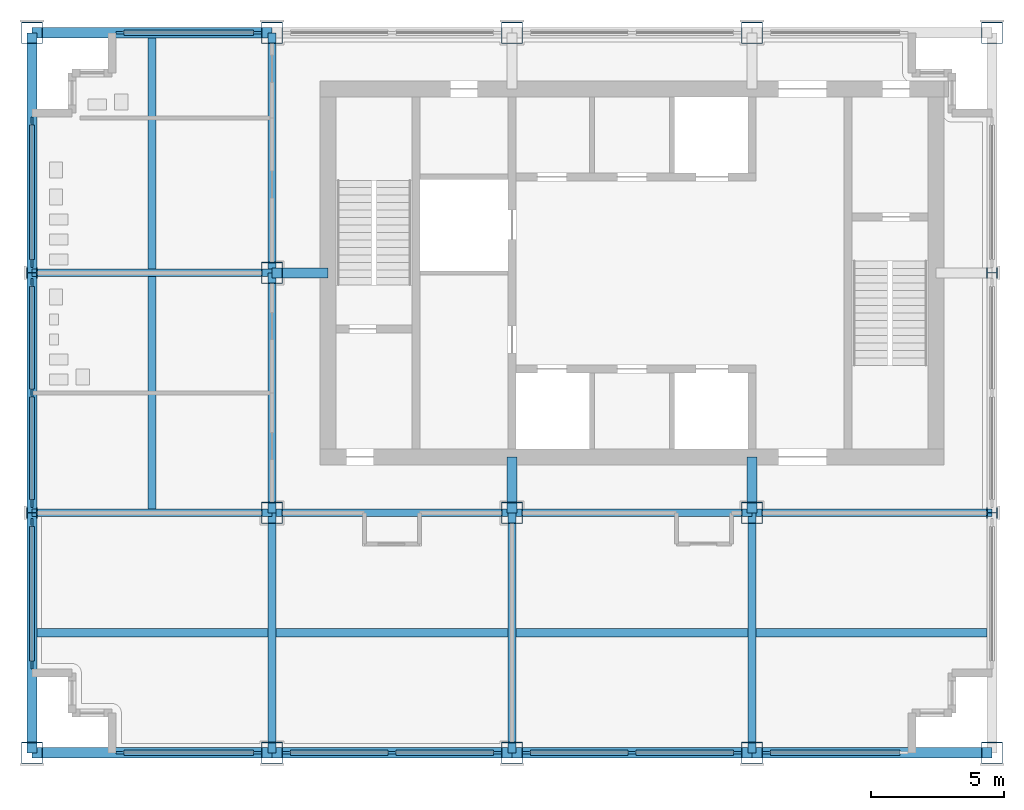
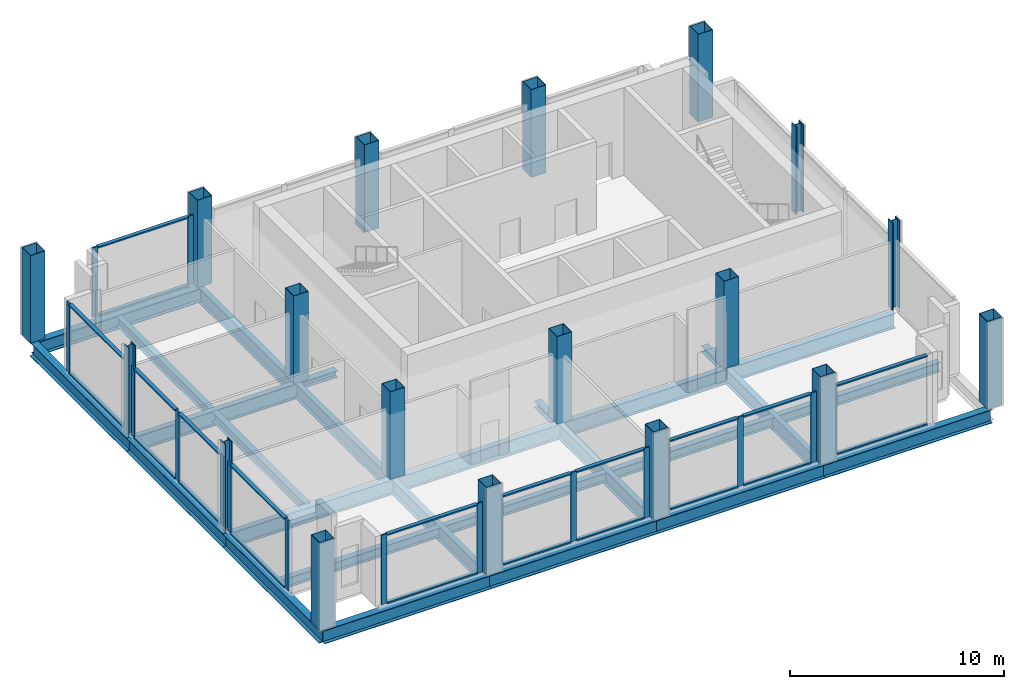
# One storey, part 1 of 7: 43 members, 24 beams, 18 columns, 8 elements without a shape of their own.
"""IFC4 building model written with IfcOpenShell, lengths in metres."""

from ifc_helpers import new_model, si_unit, direction, frame, origin, origin_2d, place, context, subcontext, project, spatial, rectangle, hollow_rectangle, i_section, extrude, material, material_profile, profile_set, type_object, element, aggregate, save


model = new_model("IFC4")

# Units and contexts
model_context = context("Model", 3, precision=1e-05, world=origin(), true_north=direction((0.0, 1.0)))
body_context = subcontext(model_context, "Body", "Model", "MODEL_VIEW")
ifc_project = project(units=[si_unit("LENGTHUNIT", "METRE"), si_unit("AREAUNIT", "SQUARE_METRE"), si_unit("VOLUMEUNIT", "CUBIC_METRE"), si_unit("PLANEANGLEUNIT", "RADIAN"), si_unit("MASSUNIT", "GRAM", prefix="KILO")], contexts=[model_context])

# Site, building, storey
site_placement = place(None, origin())
site = spatial("IfcSite", under=ifc_project, at=site_placement, CompositionType="ELEMENT")
building_placement = place(site_placement, origin())
building = spatial("IfcBuilding", under=site, at=building_placement, Name="Loomwork Tower", CompositionType="ELEMENT")
storey_placement = place(building_placement, frame((0.0, 0.0, 269.800048828125)))
storey = spatial("IfcBuildingStorey", under=building, at=storey_placement, Name="L74", CompositionType="ELEMENT", Elevation=269.800048828125)

# Columns
ifc_material_1 = material(Name="Steel ASTM A572 Grade 50 plate", Category="steel")
ifc_material_profile_1 = material_profile(ifc_material_1, hollow_rectangle(XDim=0.800048828125, YDim=0.800048828125, WallThickness=0.02490234375, at=origin_2d()), Name="BOX800x25")
ifc_profile_set_1 = profile_set([ifc_material_profile_1], Name="Steel ASTM A572 Grade 50 plate")
column_type_1 = type_object("IfcColumnType", Name="EXOSKELETON PIER BOX800x25", PredefinedType="COLUMN", material=ifc_profile_set_1)
for number, where, z_axis, x_axis, name in (
    (1, (0.0, 0.0, 0.0), (0.0, 0.0, 1.0), (1.0, 0.0, 0.0), "Exoskeleton Pier D/2 L74"),
    (2, (0.0, 27.0, 0.0), (0.0, 0.0, 1.0), (0.0, 1.0, 0.0), "Exoskeleton Pier G/2 L74"),
    (3, (9.0, 0.0, 0.0), (0.0, 0.0, 1.0), (1.0, 0.0, 0.0), "Exoskeleton Pier D/3 L74"),
    (4, (9.0, 27.0, 0.0), (0.0, 0.0, 1.0), (1.0, 0.0, 0.0), "Exoskeleton Pier G/3 L74"),
    (5, (18.0, 0.0, 0.0), (0.0, 0.0, 1.0), (1.0, 0.0, 0.0), "Exoskeleton Pier D/4 L74"),
    (6, (18.0, 27.0, 0.0), (0.0, 0.0, 1.0), (1.0, 0.0, 0.0), "Exoskeleton Pier G/4 L74"),
    (7, (27.0, 0.0, 0.0), (0.0, 0.0, 1.0), (1.0, 0.0, 0.0), "Exoskeleton Pier D/5 L74"),
    (8, (27.0, 27.0, 0.0), (0.0, 0.0, 1.0), (1.0, 0.0, 0.0), "Exoskeleton Pier G/5 L74"),
    (9, (36.0, 0.0, 0.0), (0.0, 0.0, 1.0), (1.0, 0.0, 0.0), "Exoskeleton Pier D/6 L74"),
    (10, (36.0, 27.0, 0.0), (0.0, 0.0, 1.0), (1.0, 0.0, 0.0), "Exoskeleton Pier G/6 L74"),
):
    element("IfcColumn", number, at=place(storey_placement, frame(where, z_axis=z_axis, x_axis=x_axis)), inside=storey, type_object=column_type_1, Name=name, PredefinedType="COLUMN", context=body_context, shape_type="SweptSolid", body=[
        extrude(hollow_rectangle(XDim=0.800048828125, YDim=0.800048828125, WallThickness=0.02490234375, at=origin_2d()), origin(), (0.0, 0.0, 1.0), 5.0),
    ])
ifc_material_2 = material(Name="Steel ASTM A992", Category="steel")
ifc_material_profile_2 = material_profile(ifc_material_2, i_section(OverallWidth=0.408935546875, OverallDepth=0.424072265625, WebThickness=0.03271484375, FlangeThickness=0.052490234375, at=origin_2d()), Name="W14x283")
ifc_profile_set_2 = profile_set([ifc_material_profile_2], Name="Steel ASTM A992")
column_type_2 = type_object("IfcColumnType", Name="EXOSKELETON PIER W14x283", PredefinedType="COLUMN", material=ifc_profile_set_2)
for number, where, z_axis, x_axis, name in (
    (11, (0.0, 9.0, 0.0), (0.0, 0.0, 1.0), (0.0, 1.0, 0.0), "Exoskeleton Pier E/2 L74"),
    (12, (0.0, 18.0, 0.0), (0.0, 0.0, 1.0), (0.0, 1.0, 0.0), "Exoskeleton Pier F/2 L74"),
    (13, (36.0, 9.0, 0.0), (0.0, 0.0, 1.0), (0.0, 1.0, 0.0), "Exoskeleton Pier E/6 L74"),
    (14, (36.0, 18.0, 0.0), (0.0, 0.0, 1.0), (0.0, 1.0, 0.0), "Exoskeleton Pier F/6 L74"),
):
    element("IfcColumn", number, at=place(storey_placement, frame(where, z_axis=z_axis, x_axis=x_axis)), inside=storey, type_object=column_type_2, Name=name, PredefinedType="COLUMN", context=body_context, shape_type="SweptSolid", body=[
        extrude(i_section(OverallWidth=0.408935546875, OverallDepth=0.424072265625, WebThickness=0.03271484375, FlangeThickness=0.052490234375, at=origin_2d()), origin(), (0.0, 0.0, 1.0), 5.0),
    ])
ifc_material_3 = material(Name="Steel ASTM A572 Grade 50 plate", Category="steel")
ifc_material_profile_3 = material_profile(ifc_material_3, hollow_rectangle(XDim=0.800048828125, YDim=0.800048828125, WallThickness=0.02490234375, at=origin_2d()), Name="BOX800x25")
ifc_profile_set_3 = profile_set([ifc_material_profile_3], Name="Steel ASTM A572 Grade 50 plate")
column_type_3 = type_object("IfcColumnType", Name="TOWER COLUMN BOX800x25", PredefinedType="COLUMN", material=ifc_profile_set_3)
for number, where, z_axis, x_axis, name in (
    (15, (9.0, 9.0, 0.0), (0.0, 0.0, 1.0), (1.0, 0.0, 0.0), "Tower Column E/3 L74"),
    (16, (9.0, 18.0, 0.0), (0.0, 0.0, 1.0), (1.0, 0.0, 0.0), "Tower Column F/3 L74"),
    (17, (18.0, 9.0, 0.0), (0.0, 0.0, 1.0), (1.0, 0.0, 0.0), "Tower Column E/4 L74"),
    (18, (27.0, 9.0, 0.0), (0.0, 0.0, 1.0), (1.0, 0.0, 0.0), "Tower Column E/5 L74"),
):
    element("IfcColumn", number, at=place(storey_placement, frame(where, z_axis=z_axis, x_axis=x_axis)), inside=storey, type_object=column_type_3, Name=name, PredefinedType="COLUMN", context=body_context, shape_type="SweptSolid", body=[
        extrude(hollow_rectangle(XDim=0.800048828125, YDim=0.800048828125, WallThickness=0.02490234375, at=origin_2d()), origin(), (0.0, 0.0, 1.0), 5.0),
    ])

# Beams
ifc_material_4 = material(Name="Steel ASTM A992", Category="steel")
ifc_material_profile_4 = material_profile(ifc_material_4, i_section(OverallWidth=0.2919921875, OverallDepth=0.8583984375, WebThickness=0.01708984375, FlangeThickness=0.031005859375, at=origin_2d()), Name="W33x169")
ifc_profile_set_4 = profile_set([ifc_material_profile_4], Name="Steel ASTM A992")
beam_type_1 = type_object("IfcBeamType", Name="ASSEMBLY FLOOR GIRDER W33x169", PredefinedType="BEAM", material=ifc_profile_set_4)
for number, where, z_axis, x_axis, name in (
    (19, (0.0, 9.0, -0.67919921875), (1.0, 0.0, 0.0), (0.0, 1.0, 0.0), "Assembly Floor Girder E/2-E/3 L74"),
    (20, (9.0, 9.0, -0.67919921875), (1.0, 0.0, 0.0), (0.0, 1.0, 0.0), "Assembly Floor Girder E/3-E/4 L74"),
    (21, (18.0, 9.0, -0.67919921875), (1.0, 0.0, 0.0), (0.0, 1.0, 0.0), "Assembly Floor Girder E/4-E/5 L74"),
    (22, (27.0, 9.0, -0.67919921875), (1.0, 0.0, 0.0), (0.0, 1.0, 0.0), "Assembly Floor Girder E/5-E/6 L74"),
    (23, (0.0, 18.0, -0.67919921875), (1.0, 0.0, 0.0), (0.0, 1.0, 0.0), "Assembly Floor Girder F/2-F/3 L74"),
    (24, (9.0, 0.0, -0.67919921875), (0.0, 1.0, 0.0), (-1.0, 0.0, 0.0), "Assembly Floor Girder D/3-E/3 L74"),
    (25, (9.0, 9.0, -0.67919921875), (0.0, 1.0, 0.0), (-1.0, 0.0, 0.0), "Assembly Floor Girder E/3-F/3 L74"),
    (26, (9.0, 18.0, -0.67919921875), (0.0, 1.0, 0.0), (-1.0, 0.0, 0.0), "Assembly Floor Girder F/3-G/3 L74"),
    (27, (18.0, 0.0, -0.67919921875), (0.0, 1.0, 0.0), (-1.0, 0.0, 0.0), "Assembly Floor Girder D/4-E/4 L74"),
    (28, (27.0, 0.0, -0.67919921875), (0.0, 1.0, 0.0), (-1.0, 0.0, 0.0), "Assembly Floor Girder D/5-E/5 L74"),
):
    element("IfcBeam", number, at=place(storey_placement, frame(where, z_axis=z_axis, x_axis=x_axis)), inside=storey, type_object=beam_type_1, Name=name, PredefinedType="BEAM", context=body_context, shape_type="SweptSolid", body=[
        extrude(i_section(OverallWidth=0.2919921875, OverallDepth=0.8583984375, WebThickness=0.01708984375, FlangeThickness=0.031005859375, at=origin_2d()), origin(), (0.0, 0.0, 1.0), 9.0),
    ])
ifc_material_5 = material(Name="Steel ASTM A992", Category="steel")
ifc_material_profile_5 = material_profile(ifc_material_5, i_section(OverallWidth=0.3125, OverallDepth=0.54345703125, WebThickness=0.0126953125, FlangeThickness=0.020263671875, at=origin_2d()), Name="W21x101")
ifc_profile_set_5 = profile_set([ifc_material_profile_5], Name="Steel ASTM A992")
beam_type_2 = type_object("IfcBeamType", Name="ASSEMBLY FLOOR JOIST W21x101", PredefinedType="JOIST", material=ifc_profile_set_5)
beam_1_placement = place(storey_placement, frame((0.18994140625, 4.5, -0.521728515625), z_axis=(1.0, 0.0, 0.0), x_axis=(0.0, 1.0, 0.0)))
element("IfcBeam", 29, at=beam_1_placement, inside=storey, type_object=beam_type_2, Name="Assembly Floor Joist 0.000,4.500-9.000,4.500 L74", PredefinedType="JOIST", context=body_context, shape_type="SweptSolid", body=[
    extrude(i_section(OverallWidth=0.3125, OverallDepth=0.54345703125, WebThickness=0.0126953125, FlangeThickness=0.020263671875, at=origin_2d()), origin(), (0.0, 0.0, 1.0), 8.6640625),
])
beam_2_placement = place(storey_placement, frame((4.5, 9.14599609375, -0.521728515625), z_axis=(0.0, 1.0, 0.0), x_axis=(-1.0, 0.0, 0.0)))
element("IfcBeam", 30, at=beam_2_placement, inside=storey, type_object=beam_type_2, Name="Assembly Floor Joist 4.500,9.000-4.500,18.000 L74", PredefinedType="JOIST", context=body_context, shape_type="SweptSolid", body=[
    extrude(i_section(OverallWidth=0.3125, OverallDepth=0.54345703125, WebThickness=0.0126953125, FlangeThickness=0.020263671875, at=origin_2d()), origin(), (0.0, 0.0, 1.0), 8.7080078125),
])
beam_3_placement = place(storey_placement, frame((4.5, 18.14599609375, -0.521728515625), z_axis=(0.0, 1.0, 0.0), x_axis=(-1.0, 0.0, 0.0)))
element("IfcBeam", 31, at=beam_3_placement, inside=storey, type_object=beam_type_2, Name="Assembly Floor Joist 4.500,18.000-4.500,27.000 L74", PredefinedType="JOIST", context=body_context, shape_type="SweptSolid", body=[
    extrude(i_section(OverallWidth=0.3125, OverallDepth=0.54345703125, WebThickness=0.0126953125, FlangeThickness=0.020263671875, at=origin_2d()), origin(), (0.0, 0.0, 1.0), 8.6640625),
])
for number, where, z_axis, x_axis, name in (
    (32, (9.14599609375, 4.5, -0.521728515625), (1.0, 0.0, 0.0), (0.0, 1.0, 0.0), "Assembly Floor Joist 9.000,4.500-18.000,4.500 L74"),
    (33, (18.14599609375, 4.5, -0.521728515625), (1.0, 0.0, 0.0), (0.0, 1.0, 0.0), "Assembly Floor Joist 18.000,4.500-27.000,4.500 L74"),
):
    element("IfcBeam", number, at=place(storey_placement, frame(where, z_axis=z_axis, x_axis=x_axis)), inside=storey, type_object=beam_type_2, Name=name, PredefinedType="JOIST", context=body_context, shape_type="SweptSolid", body=[
        extrude(i_section(OverallWidth=0.3125, OverallDepth=0.54345703125, WebThickness=0.0126953125, FlangeThickness=0.020263671875, at=origin_2d()), origin(), (0.0, 0.0, 1.0), 8.7080078125),
    ])
beam_4_placement = place(storey_placement, frame((27.14599609375, 4.5, -0.521728515625), z_axis=(1.0, 0.0, 0.0), x_axis=(0.0, 1.0, 0.0)))
element("IfcBeam", 34, at=beam_4_placement, inside=storey, type_object=beam_type_2, Name="Assembly Floor Joist 27.000,4.500-36.000,4.500 L74", PredefinedType="JOIST", context=body_context, shape_type="SweptSolid", body=[
    extrude(i_section(OverallWidth=0.3125, OverallDepth=0.54345703125, WebThickness=0.0126953125, FlangeThickness=0.020263671875, at=origin_2d()), origin(), (0.0, 0.0, 1.0), 8.6640625),
])

# Members
ifc_material_6 = material(Name="Steel ASTM A992", Category="steel")
ifc_material_profile_6 = material_profile(ifc_material_6, i_section(OverallWidth=0.373291015625, OverallDepth=0.373291015625, WebThickness=0.016357421875, FlangeThickness=0.026123046875, at=origin_2d()), Name="W14x132")
ifc_profile_set_6 = profile_set([ifc_material_profile_6], Name="Steel ASTM A992")
member_type_1 = type_object("IfcMemberType", Name="CORE LINK STRUT W14x132", PredefinedType="STRUT", material=ifc_profile_set_6)
for number, where, z_axis, x_axis, name in (
    (35, (18.0, 9.0, -0.436767578125), (0.0, 1.0, 0.0), (-1.0, 0.0, 0.0), "Core link strut E/4-18.000,11.100 L74"),
    (36, (9.0, 18.0, -0.436767578125), (1.0, 0.0, 0.0), (0.0, 1.0, 0.0), "Core link strut F/3-11.100,18.000 L74"),
    (37, (27.0, 9.0, -0.436767578125), (0.0, 1.0, 0.0), (-1.0, 0.0, 0.0), "Core link strut E/5-27.000,11.100 L74"),
):
    element("IfcMember", number, at=place(storey_placement, frame(where, z_axis=z_axis, x_axis=x_axis)), inside=storey, type_object=member_type_1, Name=name, PredefinedType="STRUT", context=body_context, shape_type="SweptSolid", body=[
        extrude(i_section(OverallWidth=0.373291015625, OverallDepth=0.373291015625, WebThickness=0.016357421875, FlangeThickness=0.026123046875, at=origin_2d()), origin(), (0.0, 0.0, 1.0), 2.10009765625),
    ])

# Beams
ifc_material_7 = material(Name="Steel ASTM A992", Category="steel")
ifc_material_profile_7 = material_profile(ifc_material_7, i_section(OverallWidth=0.381103515625, OverallDepth=0.77978515625, WebThickness=0.01806640625, FlangeThickness=0.0302734375, at=origin_2d()), Name="W30x191")
ifc_profile_set_7 = profile_set([ifc_material_profile_7], Name="Steel ASTM A992")
beam_type_3 = type_object("IfcBeamType", Name="SPANDREL GIRDER W30x191", PredefinedType="SPANDREL", material=ifc_profile_set_7)
for number, where, z_axis, x_axis, name in (
    (38, (0.0, 0.0, -0.639892578125), (1.0, 0.0, 0.0), (0.0, 1.0, 0.0), "Spandrel Girder D/2-D/3 L74"),
    (39, (9.0, 0.0, -0.639892578125), (1.0, 0.0, 0.0), (0.0, 1.0, 0.0), "Spandrel Girder D/3-D/4 L74"),
    (40, (18.0, 0.0, -0.639892578125), (1.0, 0.0, 0.0), (0.0, 1.0, 0.0), "Spandrel Girder D/4-D/5 L74"),
    (41, (27.0, 0.0, -0.639892578125), (1.0, 0.0, 0.0), (0.0, 1.0, 0.0), "Spandrel Girder D/5-D/6 L74"),
    (42, (0.0, 27.0, -0.639892578125), (1.0, 0.0, 0.0), (0.0, 1.0, 0.0), "Spandrel Girder G/2-G/3 L74"),
    (43, (0.0, 0.0, -0.639892578125), (0.0, 1.0, 0.0), (-1.0, 0.0, 0.0), "Spandrel Girder D/2-E/2 L74"),
    (44, (0.0, 9.0, -0.639892578125), (0.0, 1.0, 0.0), (-1.0, 0.0, 0.0), "Spandrel Girder E/2-F/2 L74"),
    (45, (0.0, 18.0, -0.639892578125), (0.0, 1.0, 0.0), (-1.0, 0.0, 0.0), "Spandrel Girder F/2-G/2 L74"),
):
    element("IfcBeam", number, at=place(storey_placement, frame(where, z_axis=z_axis, x_axis=x_axis)), inside=storey, type_object=beam_type_3, Name=name, PredefinedType="SPANDREL", context=body_context, shape_type="SweptSolid", body=[
        extrude(i_section(OverallWidth=0.381103515625, OverallDepth=0.77978515625, WebThickness=0.01806640625, FlangeThickness=0.0302734375, at=origin_2d()), origin(), (0.0, 0.0, 1.0), 9.0),
    ])

# Curtain wall, members
ifc_material_8 = material(Name="Aluminium curtain wall frame", Category="aluminium")
curtain_wall_type = type_object("IfcCurtainWallType", Name="Sky bar glazing", PredefinedType="NOTDEFINED", material=ifc_material_8)
curtain_wall_1_placement = place(storey_placement, origin())
curtain_wall_1 = element("IfcCurtainWall", 46, at=curtain_wall_1_placement, inside=storey, type_object=curtain_wall_type, Name="Sky bar glazing cw/S-0", PredefinedType="NOTDEFINED")
ifc_material_9 = material(Name="Aluminium curtain wall frame", Category="aluminium")
ifc_material_profile_8 = material_profile(ifc_material_9, rectangle(XDim=0.080078125, YDim=0.300048828125, at=origin_2d()), Name="AL 80x300")
ifc_profile_set_8 = profile_set([ifc_material_profile_8], Name="Aluminium curtain wall frame")
member_type_2 = type_object("IfcMemberType", Name="Sky bar glazing mullion", PredefinedType="MULLION", material=ifc_profile_set_8)
member_1_placement = place(storey_placement, frame((3.300048828125, 0.0, 0.0), z_axis=(0.0, 0.0, 1.0), x_axis=(0.0, 1.0, 0.0)))
member_1 = element("IfcMember", 47, at=member_1_placement, type_object=member_type_2, Name="CW5 mullion 1", PredefinedType="MULLION", context=body_context, shape_type="SweptSolid", body=[
    extrude(rectangle(XDim=0.080078125, YDim=0.300048828125, at=origin_2d()), origin(), (0.0, 0.0, 1.0), 3.97021484375),
])
member_2_placement = place(storey_placement, frame((8.449951171875, 0.0, 0.0), z_axis=(0.0, 0.0, 1.0), x_axis=(0.0, 1.0, 0.0)))
member_2 = element("IfcMember", 48, at=member_2_placement, type_object=member_type_2, Name="CW5 mullion 2", PredefinedType="MULLION", context=body_context, shape_type="SweptSolid", body=[
    extrude(rectangle(XDim=0.080078125, YDim=0.300048828125, at=origin_2d()), origin(), (0.0, 0.0, 1.0), 3.97021484375),
])

curtain_wall_2_placement = place(storey_placement, origin())
curtain_wall_2 = element("IfcCurtainWall", 49, at=curtain_wall_2_placement, inside=storey, type_object=curtain_wall_type, Name="Sky bar glazing cw/S-9", PredefinedType="NOTDEFINED")
member_3_placement = place(storey_placement, frame((9.550048828125, 0.0, 0.0), z_axis=(0.0, 0.0, 1.0), x_axis=(0.0, 1.0, 0.0)))
member_3 = element("IfcMember", 50, at=member_3_placement, type_object=member_type_2, Name="CW5 mullion 1", PredefinedType="MULLION", context=body_context, shape_type="SweptSolid", body=[
    extrude(rectangle(XDim=0.080078125, YDim=0.300048828125, at=origin_2d()), origin(), (0.0, 0.0, 1.0), 3.97021484375),
])
member_4_placement = place(storey_placement, frame((13.5, 0.0, 0.0), z_axis=(0.0, 0.0, 1.0), x_axis=(0.0, 1.0, 0.0)))
member_4 = element("IfcMember", 51, at=member_4_placement, type_object=member_type_2, Name="CW5 mullion 2", PredefinedType="MULLION", context=body_context, shape_type="SweptSolid", body=[
    extrude(rectangle(XDim=0.080078125, YDim=0.300048828125, at=origin_2d()), origin(), (0.0, 0.0, 1.0), 3.97021484375),
])
member_5_placement = place(storey_placement, frame((17.449951171875, 0.0, 0.0), z_axis=(0.0, 0.0, 1.0), x_axis=(0.0, 1.0, 0.0)))
member_5 = element("IfcMember", 52, at=member_5_placement, type_object=member_type_2, Name="CW5 mullion 3", PredefinedType="MULLION", context=body_context, shape_type="SweptSolid", body=[
    extrude(rectangle(XDim=0.080078125, YDim=0.300048828125, at=origin_2d()), origin(), (0.0, 0.0, 1.0), 3.97021484375),
])

curtain_wall_3_placement = place(storey_placement, origin())
curtain_wall_3 = element("IfcCurtainWall", 53, at=curtain_wall_3_placement, inside=storey, type_object=curtain_wall_type, Name="Sky bar glazing cw/S-18", PredefinedType="NOTDEFINED")
member_6_placement = place(storey_placement, frame((18.550048828125, 0.0, 0.0), z_axis=(0.0, 0.0, 1.0), x_axis=(0.0, 1.0, 0.0)))
member_6 = element("IfcMember", 54, at=member_6_placement, type_object=member_type_2, Name="CW5 mullion 1", PredefinedType="MULLION", context=body_context, shape_type="SweptSolid", body=[
    extrude(rectangle(XDim=0.080078125, YDim=0.300048828125, at=origin_2d()), origin(), (0.0, 0.0, 1.0), 3.97021484375),
])
member_7_placement = place(storey_placement, frame((22.5, 0.0, 0.0), z_axis=(0.0, 0.0, 1.0), x_axis=(0.0, 1.0, 0.0)))
member_7 = element("IfcMember", 55, at=member_7_placement, type_object=member_type_2, Name="CW5 mullion 2", PredefinedType="MULLION", context=body_context, shape_type="SweptSolid", body=[
    extrude(rectangle(XDim=0.080078125, YDim=0.300048828125, at=origin_2d()), origin(), (0.0, 0.0, 1.0), 3.97021484375),
])
member_8_placement = place(storey_placement, frame((26.449951171875, 0.0, 0.0), z_axis=(0.0, 0.0, 1.0), x_axis=(0.0, 1.0, 0.0)))
member_8 = element("IfcMember", 56, at=member_8_placement, type_object=member_type_2, Name="CW5 mullion 3", PredefinedType="MULLION", context=body_context, shape_type="SweptSolid", body=[
    extrude(rectangle(XDim=0.080078125, YDim=0.300048828125, at=origin_2d()), origin(), (0.0, 0.0, 1.0), 3.97021484375),
])

# Curtain wall, member
curtain_wall_4_placement = place(storey_placement, origin())
curtain_wall_4 = element("IfcCurtainWall", 57, at=curtain_wall_4_placement, inside=storey, type_object=curtain_wall_type, Name="Sky bar glazing cw/S-27", PredefinedType="NOTDEFINED")
member_9_placement = place(storey_placement, frame((27.550048828125, 0.0, 0.0), z_axis=(0.0, 0.0, 1.0), x_axis=(0.0, 1.0, 0.0)))
member_9 = element("IfcMember", 58, at=member_9_placement, type_object=member_type_2, Name="CW5 mullion 1", PredefinedType="MULLION", context=body_context, shape_type="SweptSolid", body=[
    extrude(rectangle(XDim=0.080078125, YDim=0.300048828125, at=origin_2d()), origin(), (0.0, 0.0, 1.0), 3.97021484375),
])

# Curtain wall, members
curtain_wall_5_placement = place(storey_placement, origin())
curtain_wall_5 = element("IfcCurtainWall", 59, at=curtain_wall_5_placement, inside=storey, type_object=curtain_wall_type, Name="Sky bar glazing cw/N-0", PredefinedType="NOTDEFINED")
member_10_placement = place(storey_placement, frame((8.449951171875, 27.0, 0.0), z_axis=(0.0, 0.0, 1.0), x_axis=(0.0, -1.0, 0.0)))
member_10 = element("IfcMember", 60, at=member_10_placement, type_object=member_type_2, Name="CW5 mullion 1", PredefinedType="MULLION", context=body_context, shape_type="SweptSolid", body=[
    extrude(rectangle(XDim=0.080078125, YDim=0.300048828125, at=origin_2d()), origin(), (0.0, 0.0, 1.0), 3.97021484375),
])
member_11_placement = place(storey_placement, frame((3.300048828125, 27.0, 0.0), z_axis=(0.0, 0.0, 1.0), x_axis=(0.0, -1.0, 0.0)))
member_11 = element("IfcMember", 61, at=member_11_placement, type_object=member_type_2, Name="CW5 mullion 2", PredefinedType="MULLION", context=body_context, shape_type="SweptSolid", body=[
    extrude(rectangle(XDim=0.080078125, YDim=0.300048828125, at=origin_2d()), origin(), (0.0, 0.0, 1.0), 3.97021484375),
])

curtain_wall_6_placement = place(storey_placement, origin())
curtain_wall_6 = element("IfcCurtainWall", 62, at=curtain_wall_6_placement, inside=storey, type_object=curtain_wall_type, Name="Sky bar glazing cw/W-0", PredefinedType="NOTDEFINED")
member_12_placement = place(storey_placement, frame((0.0, 8.6455078125, 0.0), z_axis=(0.0, 0.0, 1.0), x_axis=(1.0, 0.0, 0.0)))
member_12 = element("IfcMember", 63, at=member_12_placement, type_object=member_type_2, Name="CW5 mullion 1", PredefinedType="MULLION", context=body_context, shape_type="SweptSolid", body=[
    extrude(rectangle(XDim=0.080078125, YDim=0.300048828125, at=origin_2d()), origin(), (0.0, 0.0, 1.0), 3.97021484375),
])
member_13_placement = place(storey_placement, frame((0.0, 3.300048828125, 0.0), z_axis=(0.0, 0.0, 1.0), x_axis=(1.0, 0.0, 0.0)))
member_13 = element("IfcMember", 64, at=member_13_placement, type_object=member_type_2, Name="CW5 mullion 2", PredefinedType="MULLION", context=body_context, shape_type="SweptSolid", body=[
    extrude(rectangle(XDim=0.080078125, YDim=0.300048828125, at=origin_2d()), origin(), (0.0, 0.0, 1.0), 3.97021484375),
])

curtain_wall_7_placement = place(storey_placement, origin())
curtain_wall_7 = element("IfcCurtainWall", 65, at=curtain_wall_7_placement, inside=storey, type_object=curtain_wall_type, Name="Sky bar glazing cw/W-9", PredefinedType="NOTDEFINED")
member_14_placement = place(storey_placement, frame((0.0, 17.6455078125, 0.0), z_axis=(0.0, 0.0, 1.0), x_axis=(1.0, 0.0, 0.0)))
member_14 = element("IfcMember", 66, at=member_14_placement, type_object=member_type_2, Name="CW5 mullion 1", PredefinedType="MULLION", context=body_context, shape_type="SweptSolid", body=[
    extrude(rectangle(XDim=0.080078125, YDim=0.300048828125, at=origin_2d()), origin(), (0.0, 0.0, 1.0), 3.97021484375),
])
member_15_placement = place(storey_placement, frame((0.0, 13.5, 0.0), z_axis=(0.0, 0.0, 1.0), x_axis=(1.0, 0.0, 0.0)))
member_15 = element("IfcMember", 67, at=member_15_placement, type_object=member_type_2, Name="CW5 mullion 2", PredefinedType="MULLION", context=body_context, shape_type="SweptSolid", body=[
    extrude(rectangle(XDim=0.080078125, YDim=0.300048828125, at=origin_2d()), origin(), (0.0, 0.0, 1.0), 3.97021484375),
])
member_16_placement = place(storey_placement, frame((0.0, 9.3544921875, 0.0), z_axis=(0.0, 0.0, 1.0), x_axis=(1.0, 0.0, 0.0)))
member_16 = element("IfcMember", 68, at=member_16_placement, type_object=member_type_2, Name="CW5 mullion 3", PredefinedType="MULLION", context=body_context, shape_type="SweptSolid", body=[
    extrude(rectangle(XDim=0.080078125, YDim=0.300048828125, at=origin_2d()), origin(), (0.0, 0.0, 1.0), 3.97021484375),
])

curtain_wall_8_placement = place(storey_placement, origin())
curtain_wall_8 = element("IfcCurtainWall", 69, at=curtain_wall_8_placement, inside=storey, type_object=curtain_wall_type, Name="Sky bar glazing cw/W-18", PredefinedType="NOTDEFINED")
member_17_placement = place(storey_placement, frame((0.0, 23.699951171875, 0.0), z_axis=(0.0, 0.0, 1.0), x_axis=(1.0, 0.0, 0.0)))
member_17 = element("IfcMember", 70, at=member_17_placement, type_object=member_type_2, Name="CW5 mullion 1", PredefinedType="MULLION", context=body_context, shape_type="SweptSolid", body=[
    extrude(rectangle(XDim=0.080078125, YDim=0.300048828125, at=origin_2d()), origin(), (0.0, 0.0, 1.0), 3.97021484375),
])
member_18_placement = place(storey_placement, frame((0.0, 18.3544921875, 0.0), z_axis=(0.0, 0.0, 1.0), x_axis=(1.0, 0.0, 0.0)))
member_18 = element("IfcMember", 71, at=member_18_placement, type_object=member_type_2, Name="CW5 mullion 2", PredefinedType="MULLION", context=body_context, shape_type="SweptSolid", body=[
    extrude(rectangle(XDim=0.080078125, YDim=0.300048828125, at=origin_2d()), origin(), (0.0, 0.0, 1.0), 3.97021484375),
])

# Member
ifc_material_10 = material(Name="Aluminium curtain wall frame", Category="aluminium")
ifc_material_profile_9 = material_profile(ifc_material_10, rectangle(XDim=0.199951171875, YDim=0.080078125, at=origin_2d()), Name="AL 80x200")
ifc_profile_set_9 = profile_set([ifc_material_profile_9], Name="Aluminium curtain wall frame")
member_type_3 = type_object("IfcMemberType", Name="Sky bar glazing transom", PredefinedType="USERDEFINED", material=ifc_profile_set_9)
member_19_placement = place(storey_placement, frame((3.449951171875, 0.0, 0.0400390625), z_axis=(1.0, 0.0, 0.0), x_axis=(0.0, 1.0, 0.0)))
member_19 = element("IfcMember", 72, at=member_19_placement, type_object=member_type_3, Name="CW5 transom 1.1", ObjectType="TRANSOM", PredefinedType="USERDEFINED", context=body_context, shape_type="SweptSolid", body=[
    extrude(rectangle(XDim=0.199951171875, YDim=0.080078125, at=origin_2d()), origin(), (0.0, 0.0, 1.0), 4.85009765625),
])

member_20_placement = place(storey_placement, frame((3.449951171875, 0.0, 3.93017578125), z_axis=(1.0, 0.0, 0.0), x_axis=(0.0, 1.0, 0.0)))
member_20 = element("IfcMember", 73, at=member_20_placement, type_object=member_type_3, Name="CW5 transom 1.2", ObjectType="TRANSOM", PredefinedType="USERDEFINED", context=body_context, shape_type="SweptSolid", body=[
    extrude(rectangle(XDim=0.199951171875, YDim=0.080078125, at=origin_2d()), origin(), (0.0, 0.0, 1.0), 4.85009765625),
])

aggregate(curtain_wall_1, [member_1, member_2, member_19, member_20])

member_21_placement = place(storey_placement, frame((9.699951171875, 0.0, 0.0400390625), z_axis=(1.0, 0.0, 0.0), x_axis=(0.0, 1.0, 0.0)))
member_21 = element("IfcMember", 74, at=member_21_placement, type_object=member_type_3, Name="CW5 transom 1.1", ObjectType="TRANSOM", PredefinedType="USERDEFINED", context=body_context, shape_type="SweptSolid", body=[
    extrude(rectangle(XDim=0.199951171875, YDim=0.080078125, at=origin_2d()), origin(), (0.0, 0.0, 1.0), 3.650146484375),
])

member_22_placement = place(storey_placement, frame((9.699951171875, 0.0, 3.93017578125), z_axis=(1.0, 0.0, 0.0), x_axis=(0.0, 1.0, 0.0)))
member_22 = element("IfcMember", 75, at=member_22_placement, type_object=member_type_3, Name="CW5 transom 1.2", ObjectType="TRANSOM", PredefinedType="USERDEFINED", context=body_context, shape_type="SweptSolid", body=[
    extrude(rectangle(XDim=0.199951171875, YDim=0.080078125, at=origin_2d()), origin(), (0.0, 0.0, 1.0), 3.650146484375),
])

member_23_placement = place(storey_placement, frame((13.64990234375, 0.0, 0.0400390625), z_axis=(1.0, 0.0, 0.0), x_axis=(0.0, 1.0, 0.0)))
member_23 = element("IfcMember", 76, at=member_23_placement, type_object=member_type_3, Name="CW5 transom 2.1", ObjectType="TRANSOM", PredefinedType="USERDEFINED", context=body_context, shape_type="SweptSolid", body=[
    extrude(rectangle(XDim=0.199951171875, YDim=0.080078125, at=origin_2d()), origin(), (0.0, 0.0, 1.0), 3.650146484375),
])

member_24_placement = place(storey_placement, frame((13.64990234375, 0.0, 3.93017578125), z_axis=(1.0, 0.0, 0.0), x_axis=(0.0, 1.0, 0.0)))
member_24 = element("IfcMember", 77, at=member_24_placement, type_object=member_type_3, Name="CW5 transom 2.2", ObjectType="TRANSOM", PredefinedType="USERDEFINED", context=body_context, shape_type="SweptSolid", body=[
    extrude(rectangle(XDim=0.199951171875, YDim=0.080078125, at=origin_2d()), origin(), (0.0, 0.0, 1.0), 3.650146484375),
])

aggregate(curtain_wall_2, [member_3, member_4, member_5, member_21, member_22, member_23, member_24])

member_25_placement = place(storey_placement, frame((18.699951171875, 0.0, 0.0400390625), z_axis=(1.0, 0.0, 0.0), x_axis=(0.0, 1.0, 0.0)))
member_25 = element("IfcMember", 78, at=member_25_placement, type_object=member_type_3, Name="CW5 transom 1.1", ObjectType="TRANSOM", PredefinedType="USERDEFINED", context=body_context, shape_type="SweptSolid", body=[
    extrude(rectangle(XDim=0.199951171875, YDim=0.080078125, at=origin_2d()), origin(), (0.0, 0.0, 1.0), 3.650146484375),
])

member_26_placement = place(storey_placement, frame((18.699951171875, 0.0, 3.93017578125), z_axis=(1.0, 0.0, 0.0), x_axis=(0.0, 1.0, 0.0)))
member_26 = element("IfcMember", 79, at=member_26_placement, type_object=member_type_3, Name="CW5 transom 1.2", ObjectType="TRANSOM", PredefinedType="USERDEFINED", context=body_context, shape_type="SweptSolid", body=[
    extrude(rectangle(XDim=0.199951171875, YDim=0.080078125, at=origin_2d()), origin(), (0.0, 0.0, 1.0), 3.650146484375),
])

member_27_placement = place(storey_placement, frame((22.64990234375, 0.0, 0.0400390625), z_axis=(1.0, 0.0, 0.0), x_axis=(0.0, 1.0, 0.0)))
member_27 = element("IfcMember", 80, at=member_27_placement, type_object=member_type_3, Name="CW5 transom 2.1", ObjectType="TRANSOM", PredefinedType="USERDEFINED", context=body_context, shape_type="SweptSolid", body=[
    extrude(rectangle(XDim=0.199951171875, YDim=0.080078125, at=origin_2d()), origin(), (0.0, 0.0, 1.0), 3.650146484375),
])

member_28_placement = place(storey_placement, frame((22.64990234375, 0.0, 3.93017578125), z_axis=(1.0, 0.0, 0.0), x_axis=(0.0, 1.0, 0.0)))
member_28 = element("IfcMember", 81, at=member_28_placement, type_object=member_type_3, Name="CW5 transom 2.2", ObjectType="TRANSOM", PredefinedType="USERDEFINED", context=body_context, shape_type="SweptSolid", body=[
    extrude(rectangle(XDim=0.199951171875, YDim=0.080078125, at=origin_2d()), origin(), (0.0, 0.0, 1.0), 3.650146484375),
])

aggregate(curtain_wall_3, [member_6, member_7, member_8, member_25, member_26, member_27, member_28])

member_29_placement = place(storey_placement, frame((27.699951171875, 0.0, 0.0400390625), z_axis=(1.0, 0.0, 0.0), x_axis=(0.0, 1.0, 0.0)))
member_29 = element("IfcMember", 82, at=member_29_placement, type_object=member_type_3, Name="CW5 transom 1.1", ObjectType="TRANSOM", PredefinedType="USERDEFINED", context=body_context, shape_type="SweptSolid", body=[
    extrude(rectangle(XDim=0.199951171875, YDim=0.080078125, at=origin_2d()), origin(), (0.0, 0.0, 1.0), 4.85009765625),
])

member_30_placement = place(storey_placement, frame((27.699951171875, 0.0, 3.93017578125), z_axis=(1.0, 0.0, 0.0), x_axis=(0.0, 1.0, 0.0)))
member_30 = element("IfcMember", 83, at=member_30_placement, type_object=member_type_3, Name="CW5 transom 1.2", ObjectType="TRANSOM", PredefinedType="USERDEFINED", context=body_context, shape_type="SweptSolid", body=[
    extrude(rectangle(XDim=0.199951171875, YDim=0.080078125, at=origin_2d()), origin(), (0.0, 0.0, 1.0), 4.85009765625),
])

aggregate(curtain_wall_4, [member_9, member_29, member_30])

member_31_placement = place(storey_placement, frame((8.300048828125, 27.0, 0.0400390625), z_axis=(-1.0, 0.0, 0.0), x_axis=(0.0, -1.0, 0.0)))
member_31 = element("IfcMember", 84, at=member_31_placement, type_object=member_type_3, Name="CW5 transom 1.1", ObjectType="TRANSOM", PredefinedType="USERDEFINED", context=body_context, shape_type="SweptSolid", body=[
    extrude(rectangle(XDim=0.199951171875, YDim=0.080078125, at=origin_2d()), origin(), (0.0, 0.0, 1.0), 4.85009765625),
])

member_32_placement = place(storey_placement, frame((8.300048828125, 27.0, 3.93017578125), z_axis=(-1.0, 0.0, 0.0), x_axis=(0.0, -1.0, 0.0)))
member_32 = element("IfcMember", 85, at=member_32_placement, type_object=member_type_3, Name="CW5 transom 1.2", ObjectType="TRANSOM", PredefinedType="USERDEFINED", context=body_context, shape_type="SweptSolid", body=[
    extrude(rectangle(XDim=0.199951171875, YDim=0.080078125, at=origin_2d()), origin(), (0.0, 0.0, 1.0), 4.85009765625),
])

aggregate(curtain_wall_5, [member_10, member_11, member_31, member_32])

member_33_placement = place(storey_placement, frame((0.0, 8.49560546875, 0.0400390625), z_axis=(0.0, -1.0, 0.0), x_axis=(1.0, 0.0, 0.0)))
member_33 = element("IfcMember", 86, at=member_33_placement, type_object=member_type_3, Name="CW5 transom 1.1", ObjectType="TRANSOM", PredefinedType="USERDEFINED", context=body_context, shape_type="SweptSolid", body=[
    extrude(rectangle(XDim=0.199951171875, YDim=0.080078125, at=origin_2d()), origin(), (0.0, 0.0, 1.0), 5.045654296875),
])

member_34_placement = place(storey_placement, frame((0.0, 8.49560546875, 3.93017578125), z_axis=(0.0, -1.0, 0.0), x_axis=(1.0, 0.0, 0.0)))
member_34 = element("IfcMember", 87, at=member_34_placement, type_object=member_type_3, Name="CW5 transom 1.2", ObjectType="TRANSOM", PredefinedType="USERDEFINED", context=body_context, shape_type="SweptSolid", body=[
    extrude(rectangle(XDim=0.199951171875, YDim=0.080078125, at=origin_2d()), origin(), (0.0, 0.0, 1.0), 5.045654296875),
])

aggregate(curtain_wall_6, [member_12, member_13, member_33, member_34])

member_35_placement = place(storey_placement, frame((0.0, 17.49560546875, 0.0400390625), z_axis=(0.0, -1.0, 0.0), x_axis=(1.0, 0.0, 0.0)))
member_35 = element("IfcMember", 88, at=member_35_placement, type_object=member_type_3, Name="CW5 transom 1.1", ObjectType="TRANSOM", PredefinedType="USERDEFINED", context=body_context, shape_type="SweptSolid", body=[
    extrude(rectangle(XDim=0.199951171875, YDim=0.080078125, at=origin_2d()), origin(), (0.0, 0.0, 1.0), 3.845703125),
])

member_36_placement = place(storey_placement, frame((0.0, 17.49560546875, 3.93017578125), z_axis=(0.0, -1.0, 0.0), x_axis=(1.0, 0.0, 0.0)))
member_36 = element("IfcMember", 89, at=member_36_placement, type_object=member_type_3, Name="CW5 transom 1.2", ObjectType="TRANSOM", PredefinedType="USERDEFINED", context=body_context, shape_type="SweptSolid", body=[
    extrude(rectangle(XDim=0.199951171875, YDim=0.080078125, at=origin_2d()), origin(), (0.0, 0.0, 1.0), 3.845703125),
])

member_37_placement = place(storey_placement, frame((0.0, 13.35009765625, 0.0400390625), z_axis=(0.0, -1.0, 0.0), x_axis=(1.0, 0.0, 0.0)))
member_37 = element("IfcMember", 90, at=member_37_placement, type_object=member_type_3, Name="CW5 transom 2.1", ObjectType="TRANSOM", PredefinedType="USERDEFINED", context=body_context, shape_type="SweptSolid", body=[
    extrude(rectangle(XDim=0.199951171875, YDim=0.080078125, at=origin_2d()), origin(), (0.0, 0.0, 1.0), 3.845703125),
])

member_38_placement = place(storey_placement, frame((0.0, 13.35009765625, 3.93017578125), z_axis=(0.0, -1.0, 0.0), x_axis=(1.0, 0.0, 0.0)))
member_38 = element("IfcMember", 91, at=member_38_placement, type_object=member_type_3, Name="CW5 transom 2.2", ObjectType="TRANSOM", PredefinedType="USERDEFINED", context=body_context, shape_type="SweptSolid", body=[
    extrude(rectangle(XDim=0.199951171875, YDim=0.080078125, at=origin_2d()), origin(), (0.0, 0.0, 1.0), 3.845703125),
])

aggregate(curtain_wall_7, [member_14, member_15, member_16, member_35, member_36, member_37, member_38])

member_39_placement = place(storey_placement, frame((0.0, 23.550048828125, 0.0400390625), z_axis=(0.0, -1.0, 0.0), x_axis=(1.0, 0.0, 0.0)))
member_39 = element("IfcMember", 92, at=member_39_placement, type_object=member_type_3, Name="CW5 transom 1.1", ObjectType="TRANSOM", PredefinedType="USERDEFINED", context=body_context, shape_type="SweptSolid", body=[
    extrude(rectangle(XDim=0.199951171875, YDim=0.080078125, at=origin_2d()), origin(), (0.0, 0.0, 1.0), 5.045654296875),
])

member_40_placement = place(storey_placement, frame((0.0, 23.550048828125, 3.93017578125), z_axis=(0.0, -1.0, 0.0), x_axis=(1.0, 0.0, 0.0)))
member_40 = element("IfcMember", 93, at=member_40_placement, type_object=member_type_3, Name="CW5 transom 1.2", ObjectType="TRANSOM", PredefinedType="USERDEFINED", context=body_context, shape_type="SweptSolid", body=[
    extrude(rectangle(XDim=0.199951171875, YDim=0.080078125, at=origin_2d()), origin(), (0.0, 0.0, 1.0), 5.045654296875),
])

aggregate(curtain_wall_8, [member_17, member_18, member_39, member_40])

save(model, "model.ifc")
